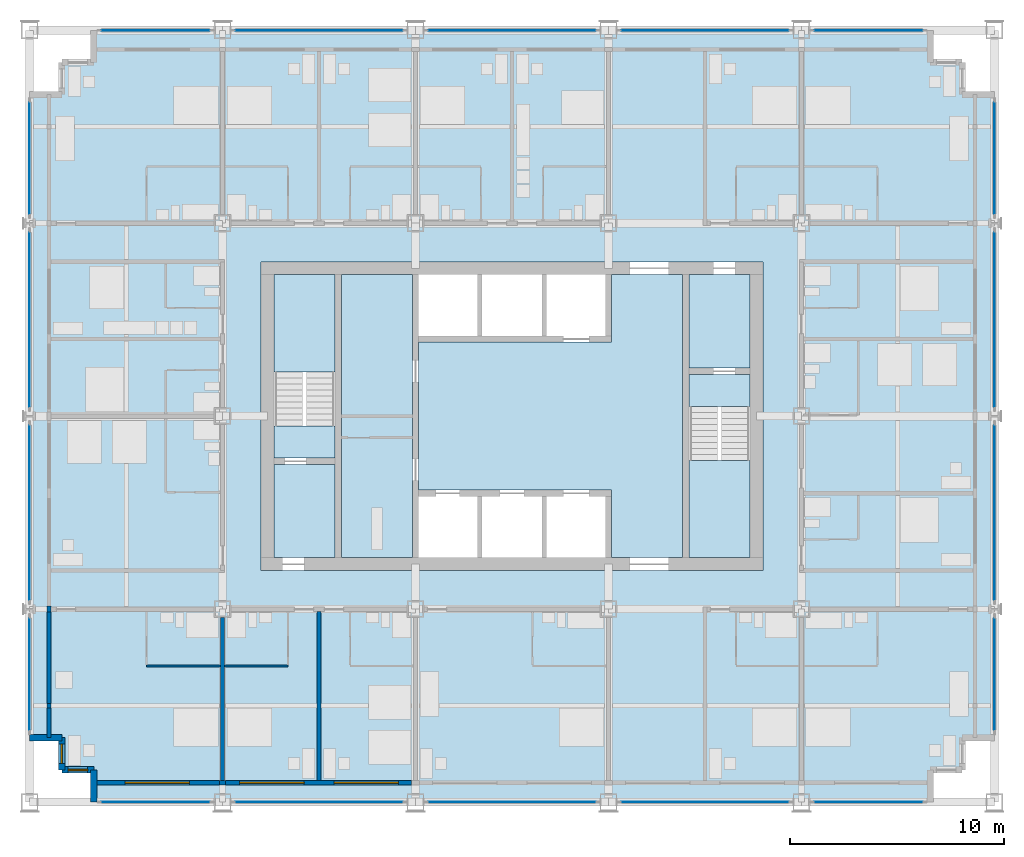
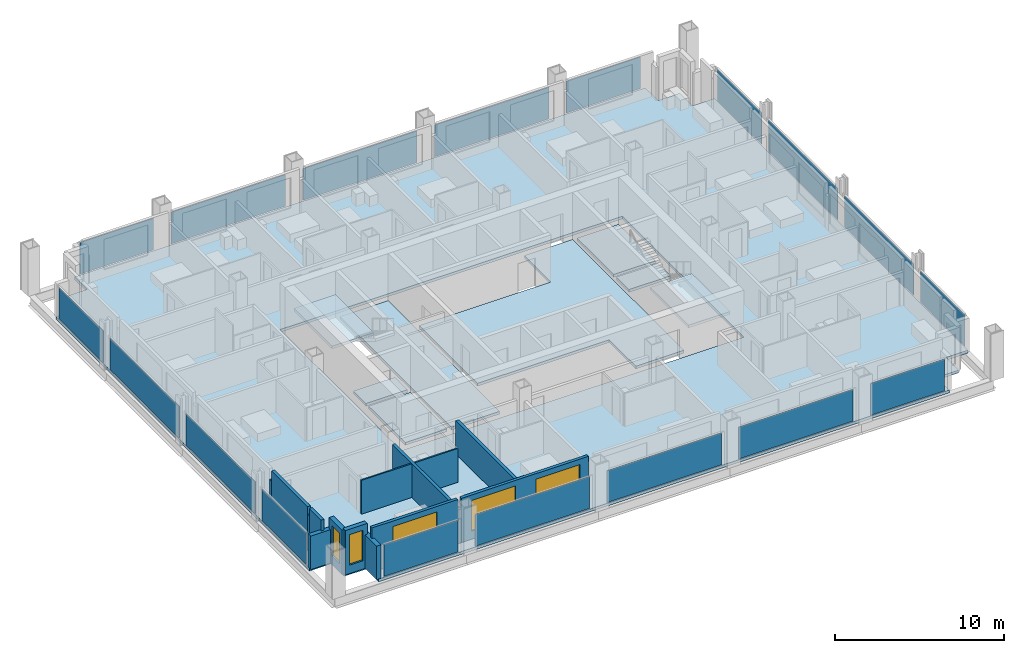
# One storey, part 8 of 17: 18 plates, 15 walls, 9 slabs, 5 windows, 5 openings, 20 elements without a shape of their own.
"""IFC4 building model written with IfcOpenShell, lengths in metres."""

from ifc_helpers import new_model, si_unit, direction, frame, frame_2d, origin, origin_2d, place, context, subcontext, project, spatial, polyline, rectangle, outline, extrude, material, layer, layer_set, type_object, element, fill, aggregate, save


model = new_model("IFC4")

# Units and contexts
model_context = context("Model", 3, precision=1e-05, world=origin(), true_north=direction((0.0, 1.0)))
body_context = subcontext(model_context, "Body", "Model", "MODEL_VIEW")
ifc_project = project(units=[si_unit("LENGTHUNIT", "METRE"), si_unit("AREAUNIT", "SQUARE_METRE"), si_unit("VOLUMEUNIT", "CUBIC_METRE"), si_unit("PLANEANGLEUNIT", "RADIAN"), si_unit("MASSUNIT", "GRAM", prefix="KILO")], contexts=[model_context])

# Site, building, storey
site_placement = place(None, origin())
site = spatial("IfcSite", under=ifc_project, at=site_placement, CompositionType="ELEMENT")
building_placement = place(site_placement, origin())
building = spatial("IfcBuilding", under=site, at=building_placement, Name="Loomwork Tower", CompositionType="ELEMENT")
storey_placement = place(building_placement, frame((0.0, 0.0, 141.800048828125)))
storey = spatial("IfcBuildingStorey", under=building, at=storey_placement, Name="L38", CompositionType="ELEMENT", Elevation=141.800048828125)

# Slabs
ifc_material_1 = material(Name="Concrete 5000 psi (34 MPa) on composite metal deck", Category="concrete")
ifc_layer_1 = layer(ifc_material_1, 0.199951171875)
ifc_layer_set_1 = layer_set([ifc_layer_1], Name="Floor slab 200")
slab_type_1 = type_object("IfcSlabType", Name="Floor slab 200", PredefinedType="FLOOR", material=ifc_layer_set_1)
slab_1_placement = place(storey_placement, frame((0.0, 0.0, -0.199951171875)))
element("IfcSlab", 1, at=slab_1_placement, inside=storey, type_object=slab_type_1, Name="Floor slab L38", PredefinedType="FLOOR", context=body_context, shape_type="SweptSolid", body=[
    extrude(outline(polyline([(3.0, 1.5), (1.5, 1.5), (1.5, 3.0), (0.0, 3.0), (0.0, 33.0), (1.5, 33.0), (1.5, 34.5), (3.0, 34.5), (3.0, 36.0), (42.0, 36.0), (42.0, 34.5), (43.5, 34.5), (43.5, 33.0), (45.0, 33.0), (45.0, 3.0), (43.5, 3.0), (43.5, 1.5), (42.0, 1.5), (42.0, 0.0), (3.0, 0.0), (3.0, 1.5)]), holes=[polyline([(10.800048828125, 11.39990234375), (10.800048828125, 11.39990234375), (10.800048828125, 10.800048828125), (34.199951171875, 10.800048828125), (34.199951171875, 11.39990234375), (34.199951171875, 11.39990234375), (34.199951171875, 24.60009765625), (34.199951171875, 25.199951171875), (10.800048828125, 25.199951171875), (10.800048828125, 24.60009765625), (10.800048828125, 11.39990234375)])]), origin(), (0.0, 0.0, 1.0), 0.199951171875),
])
slab_2_placement = place(storey_placement, frame((0.0, 0.0, -0.199951171875)))
element("IfcSlab", 2, at=slab_2_placement, inside=storey, type_object=slab_type_1, Name="Floor slab L38", PredefinedType="FLOOR", context=body_context, shape_type="SweptSolid", body=[
    extrude(outline(polyline([(30.449951171875, 24.60009765625), (30.449951171875, 11.39990234375), (27.14990234375, 11.39990234375), (27.14990234375, 14.25), (27.14990234375, 14.550048828125), (18.14990234375, 14.550048828125), (18.14990234375, 21.449951171875), (27.14990234375, 21.449951171875), (27.14990234375, 21.75), (27.14990234375, 24.60009765625), (30.449951171875, 24.60009765625)])), origin(), (0.0, 0.0, 1.0), 0.199951171875),
])
slab_3_placement = place(storey_placement, frame((0.0, 0.0, -0.199951171875)))
element("IfcSlab", 3, at=slab_3_placement, inside=storey, type_object=slab_type_1, Name="Floor slab L38", PredefinedType="FLOOR", context=body_context, shape_type="SweptSolid", body=[
    extrude(outline(polyline([(14.550048828125, 11.39990234375), (14.550048828125, 24.60009765625), (17.85009765625, 24.60009765625), (17.85009765625, 11.39990234375), (14.550048828125, 11.39990234375)])), origin(), (0.0, 0.0, 1.0), 0.199951171875),
])
slab_4_placement = place(storey_placement, frame((0.0, 0.0, -0.199951171875)))
element("IfcSlab", 4, at=slab_4_placement, inside=storey, type_object=slab_type_1, Name="Floor slab L38", PredefinedType="FLOOR", context=body_context, shape_type="SweptSolid", body=[
    extrude(outline(polyline([(33.60009765625, 20.25), (30.75, 20.25), (30.75, 24.60009765625), (33.60009765625, 24.60009765625), (33.60009765625, 20.25)])), origin(), (0.0, 0.0, 1.0), 0.199951171875),
])
slab_5_placement = place(storey_placement, frame((0.0, 0.0, -0.199951171875)))
element("IfcSlab", 5, at=slab_5_placement, inside=storey, type_object=slab_type_1, Name="Floor slab L38", PredefinedType="FLOOR", context=body_context, shape_type="SweptSolid", body=[
    extrude(outline(polyline([(14.25, 15.75), (14.25, 11.39990234375), (11.39990234375, 11.39990234375), (11.39990234375, 15.75), (14.25, 15.75)])), origin(), (0.0, 0.0, 1.0), 0.199951171875),
])

# Curtain wall, plate
ifc_material_2 = material(Name="Aluminium curtain wall frame", Category="aluminium")
curtain_wall_type = type_object("IfcCurtainWallType", Name="Outer skin glazing hotel", PredefinedType="NOTDEFINED", material=ifc_material_2)
curtain_wall_1_placement = place(storey_placement, origin())
curtain_wall_1 = element("IfcCurtainWall", 6, at=curtain_wall_1_placement, inside=storey, type_object=curtain_wall_type, Name="Outer skin glazing hotel cw/S-0", PredefinedType="NOTDEFINED")
ifc_material_3 = material(Name="Clear laminated glass", Category="glass")
ifc_layer_2 = layer(ifc_material_3, 0.02392578125)
ifc_layer_set_2 = layer_set([ifc_layer_2], Name="Outer skin glazing hotel panel")
plate_type = type_object("IfcPlateType", Name="Outer skin glazing hotel panel", PredefinedType="CURTAIN_PANEL", material=ifc_layer_set_2)
plate_1_placement = place(storey_placement, frame((5.875, 0.0, 0.06494140625), z_axis=(0.0, 0.0, 1.0), x_axis=(1.0, 0.0, 0.0)))
plate_1 = element("IfcPlate", 7, at=plate_1_placement, type_object=plate_type, Name="CW1 panel 1.1", PredefinedType="CURTAIN_PANEL", context=body_context, shape_type="SweptSolid", body=[
    extrude(rectangle(XDim=5.050048828125, YDim=0.02392578125, at=origin_2d()), origin(), (0.0, 0.0, 1.0), 2.290283203125),
])
aggregate(curtain_wall_1, [plate_1])

curtain_wall_2_placement = place(storey_placement, origin())
curtain_wall_2 = element("IfcCurtainWall", 8, at=curtain_wall_2_placement, inside=storey, type_object=curtain_wall_type, Name="Outer skin glazing hotel cw/S-9", PredefinedType="NOTDEFINED")
plate_2_placement = place(storey_placement, frame((13.5, 0.0, 0.06494140625), z_axis=(0.0, 0.0, 1.0), x_axis=(1.0, 0.0, 0.0)))
plate_2 = element("IfcPlate", 9, at=plate_2_placement, type_object=plate_type, Name="CW1 panel 1.1", PredefinedType="CURTAIN_PANEL", context=body_context, shape_type="SweptSolid", body=[
    extrude(rectangle(XDim=7.800048828125, YDim=0.02392578125, at=origin_2d()), origin(), (0.0, 0.0, 1.0), 2.290283203125),
])
aggregate(curtain_wall_2, [plate_2])

curtain_wall_3_placement = place(storey_placement, origin())
curtain_wall_3 = element("IfcCurtainWall", 10, at=curtain_wall_3_placement, inside=storey, type_object=curtain_wall_type, Name="Outer skin glazing hotel cw/S-18", PredefinedType="NOTDEFINED")
plate_3_placement = place(storey_placement, frame((22.5, 0.0, 0.06494140625), z_axis=(0.0, 0.0, 1.0), x_axis=(1.0, 0.0, 0.0)))
plate_3 = element("IfcPlate", 11, at=plate_3_placement, type_object=plate_type, Name="CW1 panel 1.1", PredefinedType="CURTAIN_PANEL", context=body_context, shape_type="SweptSolid", body=[
    extrude(rectangle(XDim=7.800048828125, YDim=0.02392578125, at=origin_2d()), origin(), (0.0, 0.0, 1.0), 2.290283203125),
])
aggregate(curtain_wall_3, [plate_3])

curtain_wall_4_placement = place(storey_placement, origin())
curtain_wall_4 = element("IfcCurtainWall", 12, at=curtain_wall_4_placement, inside=storey, type_object=curtain_wall_type, Name="Outer skin glazing hotel cw/S-27", PredefinedType="NOTDEFINED")
plate_4_placement = place(storey_placement, frame((31.5, 0.0, 0.06494140625), z_axis=(0.0, 0.0, 1.0), x_axis=(1.0, 0.0, 0.0)))
plate_4 = element("IfcPlate", 13, at=plate_4_placement, type_object=plate_type, Name="CW1 panel 1.1", PredefinedType="CURTAIN_PANEL", context=body_context, shape_type="SweptSolid", body=[
    extrude(rectangle(XDim=7.800048828125, YDim=0.02392578125, at=origin_2d()), origin(), (0.0, 0.0, 1.0), 2.290283203125),
])
aggregate(curtain_wall_4, [plate_4])

curtain_wall_5_placement = place(storey_placement, origin())
curtain_wall_5 = element("IfcCurtainWall", 14, at=curtain_wall_5_placement, inside=storey, type_object=curtain_wall_type, Name="Outer skin glazing hotel cw/S-36", PredefinedType="NOTDEFINED")
plate_5_placement = place(storey_placement, frame((39.125, 0.0, 0.06494140625), z_axis=(0.0, 0.0, 1.0), x_axis=(1.0, 0.0, 0.0)))
plate_5 = element("IfcPlate", 15, at=plate_5_placement, type_object=plate_type, Name="CW1 panel 1.1", PredefinedType="CURTAIN_PANEL", context=body_context, shape_type="SweptSolid", body=[
    extrude(rectangle(XDim=5.050048828125, YDim=0.02392578125, at=origin_2d()), origin(), (0.0, 0.0, 1.0), 2.290283203125),
])
aggregate(curtain_wall_5, [plate_5])

curtain_wall_6_placement = place(storey_placement, origin())
curtain_wall_6 = element("IfcCurtainWall", 16, at=curtain_wall_6_placement, inside=storey, type_object=curtain_wall_type, Name="Outer skin glazing hotel cw/N-0", PredefinedType="NOTDEFINED")
plate_6_placement = place(storey_placement, frame((5.875, 36.0, 0.06494140625), z_axis=(0.0, 0.0, 1.0), x_axis=(-1.0, 0.0, 0.0)))
plate_6 = element("IfcPlate", 17, at=plate_6_placement, type_object=plate_type, Name="CW1 panel 1.1", PredefinedType="CURTAIN_PANEL", context=body_context, shape_type="SweptSolid", body=[
    extrude(rectangle(XDim=5.050048828125, YDim=0.02392578125, at=origin_2d()), origin(), (0.0, 0.0, 1.0), 2.290283203125),
])
aggregate(curtain_wall_6, [plate_6])

curtain_wall_7_placement = place(storey_placement, origin())
curtain_wall_7 = element("IfcCurtainWall", 18, at=curtain_wall_7_placement, inside=storey, type_object=curtain_wall_type, Name="Outer skin glazing hotel cw/N-9", PredefinedType="NOTDEFINED")
plate_7_placement = place(storey_placement, frame((13.5, 36.0, 0.06494140625), z_axis=(0.0, 0.0, 1.0), x_axis=(-1.0, 0.0, 0.0)))
plate_7 = element("IfcPlate", 19, at=plate_7_placement, type_object=plate_type, Name="CW1 panel 1.1", PredefinedType="CURTAIN_PANEL", context=body_context, shape_type="SweptSolid", body=[
    extrude(rectangle(XDim=7.800048828125, YDim=0.02392578125, at=origin_2d()), origin(), (0.0, 0.0, 1.0), 2.290283203125),
])
aggregate(curtain_wall_7, [plate_7])

curtain_wall_8_placement = place(storey_placement, origin())
curtain_wall_8 = element("IfcCurtainWall", 20, at=curtain_wall_8_placement, inside=storey, type_object=curtain_wall_type, Name="Outer skin glazing hotel cw/N-18", PredefinedType="NOTDEFINED")
plate_8_placement = place(storey_placement, frame((22.5, 36.0, 0.06494140625), z_axis=(0.0, 0.0, 1.0), x_axis=(-1.0, 0.0, 0.0)))
plate_8 = element("IfcPlate", 21, at=plate_8_placement, type_object=plate_type, Name="CW1 panel 1.1", PredefinedType="CURTAIN_PANEL", context=body_context, shape_type="SweptSolid", body=[
    extrude(rectangle(XDim=7.800048828125, YDim=0.02392578125, at=origin_2d()), origin(), (0.0, 0.0, 1.0), 2.290283203125),
])
aggregate(curtain_wall_8, [plate_8])

curtain_wall_9_placement = place(storey_placement, origin())
curtain_wall_9 = element("IfcCurtainWall", 22, at=curtain_wall_9_placement, inside=storey, type_object=curtain_wall_type, Name="Outer skin glazing hotel cw/N-27", PredefinedType="NOTDEFINED")
plate_9_placement = place(storey_placement, frame((31.5, 36.0, 0.06494140625), z_axis=(0.0, 0.0, 1.0), x_axis=(-1.0, 0.0, 0.0)))
plate_9 = element("IfcPlate", 23, at=plate_9_placement, type_object=plate_type, Name="CW1 panel 1.1", PredefinedType="CURTAIN_PANEL", context=body_context, shape_type="SweptSolid", body=[
    extrude(rectangle(XDim=7.800048828125, YDim=0.02392578125, at=origin_2d()), origin(), (0.0, 0.0, 1.0), 2.290283203125),
])
aggregate(curtain_wall_9, [plate_9])

curtain_wall_10_placement = place(storey_placement, origin())
curtain_wall_10 = element("IfcCurtainWall", 24, at=curtain_wall_10_placement, inside=storey, type_object=curtain_wall_type, Name="Outer skin glazing hotel cw/N-36", PredefinedType="NOTDEFINED")
plate_10_placement = place(storey_placement, frame((39.125, 36.0, 0.06494140625), z_axis=(0.0, 0.0, 1.0), x_axis=(-1.0, 0.0, 0.0)))
plate_10 = element("IfcPlate", 25, at=plate_10_placement, type_object=plate_type, Name="CW1 panel 1.1", PredefinedType="CURTAIN_PANEL", context=body_context, shape_type="SweptSolid", body=[
    extrude(rectangle(XDim=5.050048828125, YDim=0.02392578125, at=origin_2d()), origin(), (0.0, 0.0, 1.0), 2.290283203125),
])
aggregate(curtain_wall_10, [plate_10])

curtain_wall_11_placement = place(storey_placement, origin())
curtain_wall_11 = element("IfcCurtainWall", 26, at=curtain_wall_11_placement, inside=storey, type_object=curtain_wall_type, Name="Outer skin glazing hotel cw/W-0", PredefinedType="NOTDEFINED")
plate_11_placement = place(storey_placement, frame((0.0, 5.964599609375, 0.06494140625), z_axis=(0.0, 0.0, 1.0), x_axis=(0.0, -1.0, 0.0)))
plate_11 = element("IfcPlate", 27, at=plate_11_placement, type_object=plate_type, Name="CW1 panel 1.1", PredefinedType="CURTAIN_PANEL", context=body_context, shape_type="SweptSolid", body=[
    extrude(rectangle(XDim=5.22900390625, YDim=0.02392578125, at=origin_2d()), origin(), (0.0, 0.0, 1.0), 2.290283203125),
])
aggregate(curtain_wall_11, [plate_11])

curtain_wall_12_placement = place(storey_placement, origin())
curtain_wall_12 = element("IfcCurtainWall", 28, at=curtain_wall_12_placement, inside=storey, type_object=curtain_wall_type, Name="Outer skin glazing hotel cw/W-9", PredefinedType="NOTDEFINED")
plate_12_placement = place(storey_placement, frame((0.0, 13.5, 0.06494140625), z_axis=(0.0, 0.0, 1.0), x_axis=(0.0, -1.0, 0.0)))
plate_12 = element("IfcPlate", 29, at=plate_12_placement, type_object=plate_type, Name="CW1 panel 1.1", PredefinedType="CURTAIN_PANEL", context=body_context, shape_type="SweptSolid", body=[
    extrude(rectangle(XDim=8.157958984375, YDim=0.02392578125, at=origin_2d()), origin(), (0.0, 0.0, 1.0), 2.290283203125),
])
aggregate(curtain_wall_12, [plate_12])

curtain_wall_13_placement = place(storey_placement, origin())
curtain_wall_13 = element("IfcCurtainWall", 30, at=curtain_wall_13_placement, inside=storey, type_object=curtain_wall_type, Name="Outer skin glazing hotel cw/W-18", PredefinedType="NOTDEFINED")
plate_13_placement = place(storey_placement, frame((0.0, 22.5, 0.06494140625), z_axis=(0.0, 0.0, 1.0), x_axis=(0.0, -1.0, 0.0)))
plate_13 = element("IfcPlate", 31, at=plate_13_placement, type_object=plate_type, Name="CW1 panel 1.1", PredefinedType="CURTAIN_PANEL", context=body_context, shape_type="SweptSolid", body=[
    extrude(rectangle(XDim=8.157958984375, YDim=0.02392578125, at=origin_2d()), origin(), (0.0, 0.0, 1.0), 2.290283203125),
])
aggregate(curtain_wall_13, [plate_13])

curtain_wall_14_placement = place(storey_placement, origin())
curtain_wall_14 = element("IfcCurtainWall", 32, at=curtain_wall_14_placement, inside=storey, type_object=curtain_wall_type, Name="Outer skin glazing hotel cw/W-27", PredefinedType="NOTDEFINED")
plate_14_placement = place(storey_placement, frame((0.0, 30.035400390625, 0.06494140625), z_axis=(0.0, 0.0, 1.0), x_axis=(0.0, -1.0, 0.0)))
plate_14 = element("IfcPlate", 33, at=plate_14_placement, type_object=plate_type, Name="CW1 panel 1.1", PredefinedType="CURTAIN_PANEL", context=body_context, shape_type="SweptSolid", body=[
    extrude(rectangle(XDim=5.22900390625, YDim=0.02392578125, at=origin_2d()), origin(), (0.0, 0.0, 1.0), 2.290283203125),
])
aggregate(curtain_wall_14, [plate_14])

curtain_wall_15_placement = place(storey_placement, origin())
curtain_wall_15 = element("IfcCurtainWall", 34, at=curtain_wall_15_placement, inside=storey, type_object=curtain_wall_type, Name="Outer skin glazing hotel cw/E-0", PredefinedType="NOTDEFINED")
plate_15_placement = place(storey_placement, frame((45.0, 5.964599609375, 0.06494140625), z_axis=(0.0, 0.0, 1.0), x_axis=(0.0, 1.0, 0.0)))
plate_15 = element("IfcPlate", 35, at=plate_15_placement, type_object=plate_type, Name="CW1 panel 1.1", PredefinedType="CURTAIN_PANEL", context=body_context, shape_type="SweptSolid", body=[
    extrude(rectangle(XDim=5.22900390625, YDim=0.02392578125, at=origin_2d()), origin(), (0.0, 0.0, 1.0), 2.290283203125),
])
aggregate(curtain_wall_15, [plate_15])

curtain_wall_16_placement = place(storey_placement, origin())
curtain_wall_16 = element("IfcCurtainWall", 36, at=curtain_wall_16_placement, inside=storey, type_object=curtain_wall_type, Name="Outer skin glazing hotel cw/E-9", PredefinedType="NOTDEFINED")
plate_16_placement = place(storey_placement, frame((45.0, 13.5, 0.06494140625), z_axis=(0.0, 0.0, 1.0), x_axis=(0.0, 1.0, 0.0)))
plate_16 = element("IfcPlate", 37, at=plate_16_placement, type_object=plate_type, Name="CW1 panel 1.1", PredefinedType="CURTAIN_PANEL", context=body_context, shape_type="SweptSolid", body=[
    extrude(rectangle(XDim=8.157958984375, YDim=0.02392578125, at=origin_2d()), origin(), (0.0, 0.0, 1.0), 2.290283203125),
])
aggregate(curtain_wall_16, [plate_16])

curtain_wall_17_placement = place(storey_placement, origin())
curtain_wall_17 = element("IfcCurtainWall", 38, at=curtain_wall_17_placement, inside=storey, type_object=curtain_wall_type, Name="Outer skin glazing hotel cw/E-18", PredefinedType="NOTDEFINED")
plate_17_placement = place(storey_placement, frame((45.0, 22.5, 0.06494140625), z_axis=(0.0, 0.0, 1.0), x_axis=(0.0, 1.0, 0.0)))
plate_17 = element("IfcPlate", 39, at=plate_17_placement, type_object=plate_type, Name="CW1 panel 1.1", PredefinedType="CURTAIN_PANEL", context=body_context, shape_type="SweptSolid", body=[
    extrude(rectangle(XDim=8.157958984375, YDim=0.02392578125, at=origin_2d()), origin(), (0.0, 0.0, 1.0), 2.290283203125),
])
aggregate(curtain_wall_17, [plate_17])

curtain_wall_18_placement = place(storey_placement, origin())
curtain_wall_18 = element("IfcCurtainWall", 40, at=curtain_wall_18_placement, inside=storey, type_object=curtain_wall_type, Name="Outer skin glazing hotel cw/E-27", PredefinedType="NOTDEFINED")
plate_18_placement = place(storey_placement, frame((45.0, 30.035400390625, 0.06494140625), z_axis=(0.0, 0.0, 1.0), x_axis=(0.0, 1.0, 0.0)))
plate_18 = element("IfcPlate", 41, at=plate_18_placement, type_object=plate_type, Name="CW1 panel 1.1", PredefinedType="CURTAIN_PANEL", context=body_context, shape_type="SweptSolid", body=[
    extrude(rectangle(XDim=5.22900390625, YDim=0.02392578125, at=origin_2d()), origin(), (0.0, 0.0, 1.0), 2.290283203125),
])
aggregate(curtain_wall_18, [plate_18])

# Stair, slabs
ifc_material_4 = material(Name="Concrete 5000 psi (34 MPa) precast stair", Category="concrete")
stair_type_1 = type_object("IfcStairType", Name="Stair ST-A 20 risers 2850 wide", PredefinedType="HALF_TURN_STAIR", material=ifc_material_4)
stair_1_placement = place(storey_placement, origin())
stair_1 = element("IfcStair", 42, at=stair_1_placement, inside=storey, type_object=stair_type_1, Name="Stair A L38", PredefinedType="HALF_TURN_STAIR")
ifc_material_5 = material(Name="Concrete 5000 psi (34 MPa)", Category="concrete")
ifc_layer_3 = layer(ifc_material_5, 0.199951171875)
ifc_layer_set_3 = layer_set([ifc_layer_3], Name="Stair landing 200")
slab_type_2 = type_object("IfcSlabType", Name="Stair landing 200", PredefinedType="LANDING", material=ifc_layer_set_3)
slab_6_placement = place(storey_placement, frame((0.0, 0.0, -0.199951171875)))
slab_6 = element("IfcSlab", 43, at=slab_6_placement, type_object=slab_type_2, Name="ST-A landing 1", PredefinedType="LANDING", context=body_context, shape_type="SweptSolid", body=[
    extrude(outline(polyline([(11.39990234375, 16.050048828125), (14.25, 16.050048828125), (14.25, 17.550048828125), (11.39990234375, 17.550048828125), (11.39990234375, 16.050048828125)])), origin(), (0.0, 0.0, 1.0), 0.199951171875),
])
slab_7_placement = place(storey_placement, frame((0.0, 0.0, 1.5)))
slab_7 = element("IfcSlab", 44, at=slab_7_placement, type_object=slab_type_2, Name="ST-A landing 2", PredefinedType="LANDING", context=body_context, shape_type="SweptSolid", body=[
    extrude(outline(polyline([(11.39990234375, 20.070068359375), (14.25, 20.070068359375), (14.25, 24.60009765625), (11.39990234375, 24.60009765625), (11.39990234375, 20.070068359375)])), origin(), (0.0, 0.0, 1.0), 0.199951171875),
])
aggregate(stair_1, [slab_6, slab_7])

ifc_material_6 = material(Name="Concrete 5000 psi (34 MPa) precast stair", Category="concrete")
stair_type_2 = type_object("IfcStairType", Name="Stair ST-B 20 risers 2850 wide", PredefinedType="HALF_TURN_STAIR", material=ifc_material_6)
stair_2_placement = place(storey_placement, origin())
stair_2 = element("IfcStair", 45, at=stair_2_placement, inside=storey, type_object=stair_type_2, Name="Stair B L38", PredefinedType="HALF_TURN_STAIR")
slab_8_placement = place(storey_placement, frame((0.0, 0.0, -0.199951171875)))
slab_8 = element("IfcSlab", 46, at=slab_8_placement, type_object=slab_type_2, Name="ST-B landing 1", PredefinedType="LANDING", context=body_context, shape_type="SweptSolid", body=[
    extrude(outline(polyline([(30.75, 18.449951171875), (33.60009765625, 18.449951171875), (33.60009765625, 19.949951171875), (30.75, 19.949951171875), (30.75, 18.449951171875)])), origin(), (0.0, 0.0, 1.0), 0.199951171875),
])
slab_9_placement = place(storey_placement, frame((0.0, 0.0, 1.5)))
slab_9 = element("IfcSlab", 47, at=slab_9_placement, type_object=slab_type_2, Name="ST-B landing 2", PredefinedType="LANDING", context=body_context, shape_type="SweptSolid", body=[
    extrude(outline(polyline([(30.75, 11.39990234375), (33.60009765625, 11.39990234375), (33.60009765625, 15.929931640625), (30.75, 15.929931640625), (30.75, 11.39990234375)])), origin(), (0.0, 0.0, 1.0), 0.199951171875),
])
aggregate(stair_2, [slab_8, slab_9])

# Walls
ifc_material_7 = material(Name="Cement board on steel studs", Category="steel")
ifc_layer_4 = layer(ifc_material_7, 0.10009765625)
ifc_layer_set_4 = layer_set([ifc_layer_4], Name="En-suite partition 100")
wall_type_1 = type_object("IfcWallType", Name="En-suite partition 100", PredefinedType="PARTITIONING", material=ifc_layer_set_4)
wall_1_placement = place(storey_placement, frame((5.449951171875, 6.35009765625, 0.0), z_axis=(0.0, 0.0, 1.0), x_axis=(1.0, 0.0, 0.0)))
element("IfcWall", 48, at=wall_1_placement, inside=storey, type_object=wall_type_1, Name="En-suite wall L38 room 1", PredefinedType="PARTITIONING", context=body_context, shape_type="SweptSolid", body=[
    extrude(rectangle(XDim=3.449951171875, YDim=0.10009765625, at=frame_2d((1.72509765625, 0.0))), origin(), (0.0, 0.0, 1.0), 2.43798828125),
])
wall_2_placement = place(storey_placement, frame((9.10009765625, 6.35009765625, 0.0), z_axis=(0.0, 0.0, 1.0), x_axis=(1.0, 0.0, 0.0)))
element("IfcWall", 49, at=wall_2_placement, inside=storey, type_object=wall_type_1, Name="En-suite wall L38 room 2", PredefinedType="PARTITIONING", context=body_context, shape_type="SweptSolid", body=[
    extrude(rectangle(XDim=2.949951171875, YDim=0.10009765625, at=frame_2d((1.47509765625, 0.0))), origin(), (0.0, 0.0, 1.0), 2.43798828125),
])
ifc_material_8 = material(Name="Gypsum board on steel studs, acoustic", Category="steel")
ifc_layer_5 = layer(ifc_material_8, 0.199951171875)
ifc_layer_set_5 = layer_set([ifc_layer_5], Name="Guest room party wall 200")
wall_type_2 = type_object("IfcWallType", Name="Guest room party wall 200", PredefinedType="PARTITIONING", material=ifc_layer_set_5)
wall_3_placement = place(storey_placement, frame((9.0, 8.60009765625, 0.0), z_axis=(0.0, 0.0, 1.0), x_axis=(0.0, -1.0, 0.0)))
element("IfcWall", 50, at=wall_3_placement, inside=storey, type_object=wall_type_2, Name="Guest room party wall S 9", PredefinedType="PARTITIONING", context=body_context, shape_type="SweptSolid", body=[
    extrude(rectangle(XDim=7.60009765625, YDim=0.199951171875, at=frame_2d((3.800048828125, 0.0))), origin(), (0.0, 0.0, 1.0), 2.43798828125),
])
wall_4_placement = place(storey_placement, frame((13.5, 8.89990234375, 0.0), z_axis=(0.0, 0.0, 1.0), x_axis=(0.0, -1.0, 0.0)))
element("IfcWall", 51, at=wall_4_placement, inside=storey, type_object=wall_type_2, Name="Guest room party wall S 13.5", PredefinedType="PARTITIONING", context=body_context, shape_type="SweptSolid", body=[
    extrude(rectangle(XDim=7.89990234375, YDim=0.199951171875, at=frame_2d((3.949951171875, 0.0))), origin(), (0.0, 0.0, 1.0), 2.404052734375),
])

# Wall, opening, window
ifc_material_9 = material(Name="Insulated steel stud wall with gypsum lining", Category="steel")
ifc_layer_6 = layer(ifc_material_9, 0.199951171875)
ifc_layer_set_6 = layer_set([ifc_layer_6], Name="Inner skin wall 200")
wall_type_3 = type_object("IfcWallType", Name="Inner skin wall 200", PredefinedType="SOLIDWALL", material=ifc_layer_set_6)
wall_5_placement = place(storey_placement, frame((3.0, 0.89990234375, 0.0), z_axis=(0.0, 0.0, 1.0), x_axis=(1.0, 0.0, 0.0)))
wall_5 = element("IfcWall", 52, at=wall_5_placement, inside=storey, type_object=wall_type_3, Name="Inner skin wall S", PredefinedType="SOLIDWALL", context=body_context, shape_type="SweptSolid", body=[
    extrude(rectangle(XDim=5.86474609375, YDim=0.199951171875, at=frame_2d((2.932373046875, 0.0))), origin(), (0.0, 0.0, 1.0), 3.199951171875),
])
opening_1_placement = place(wall_5_placement, frame((1.449951171875, 0.0, 0.60009765625)))
opening_1 = element("IfcOpeningElement", 53, at=opening_1_placement, cuts=wall_5, Name="Opening CH1", PredefinedType="OPENING", context=body_context, shape_type="SweptSolid", body=[
    extrude(rectangle(XDim=3.0, YDim=2.199951171875, at=frame_2d((1.5, 1.10009765625))), frame((0.0, 0.10986328125, 0.0), z_axis=(0.0, -1.0, 0.0), x_axis=(1.0, 0.0, 0.0)), (0.0, 0.0, 1.0), 0.219970703125),
])
ifc_material_10 = material(Name="Aluminium frame with clear insulated glass", Category="aluminium")
window_type_1 = type_object("IfcWindowType", Name="Chicago window 3000", PartitioningType="TRIPLE_PANEL_VERTICAL", PredefinedType="WINDOW", material=ifc_material_10)
window_1_placement = place(opening_1_placement, origin())
window_1 = element("IfcWindow", 54, at=window_1_placement, inside=storey, type_object=window_type_1, Name="Chicago window L38 bay 1", OverallHeight=2.199951171875, OverallWidth=3.0, PartitioningType="TRIPLE_PANEL_VERTICAL", PredefinedType="WINDOW", context=body_context, shape_type="SweptSolid", body=[
    extrude(rectangle(XDim=3.0, YDim=2.199951171875, at=frame_2d((1.5, 1.10009765625))), frame((0.0, 0.030029296875, 0.0), z_axis=(0.0, -1.0, 0.0), x_axis=(1.0, 0.0, 0.0)), (0.0, 0.0, 1.0), 0.06005859375),
])
fill(opening_1, window_1)

# Walls
wall_6_placement = place(storey_placement, frame((0.89990234375, 3.0, 0.0), z_axis=(0.0, 0.0, 1.0), x_axis=(0.0, 1.0, 0.0)))
element("IfcWall", 55, at=wall_6_placement, inside=storey, type_object=wall_type_3, Name="Inner skin wall W", PredefinedType="SOLIDWALL", context=body_context, shape_type="SweptSolid", body=[
    extrude(rectangle(XDim=1.392578125, YDim=0.199951171875, at=frame_2d((0.6962890625, 0.0))), origin(), (0.0, 0.0, 1.0), 3.199951171875),
])
wall_7_placement = place(storey_placement, frame((8.86474609375, 0.89990234375, 0.0), z_axis=(0.0, 0.0, 1.0), x_axis=(1.0, 0.0, 0.0)))
element("IfcWall", 56, at=wall_7_placement, inside=storey, type_object=wall_type_3, Name="Inner skin wall S bay 2", PredefinedType="SOLIDWALL", context=body_context, shape_type="SweptSolid", body=[
    extrude(rectangle(XDim=0.2705078125, YDim=0.199951171875, at=frame_2d((0.13525390625, 0.0))), origin(), (0.0, 0.0, 1.0), 2.43798828125),
])

# Wall, openings, windows
wall_8_placement = place(storey_placement, frame((9.13525390625, 0.89990234375, 0.0), z_axis=(0.0, 0.0, 1.0), x_axis=(1.0, 0.0, 0.0)))
wall_8 = element("IfcWall", 57, at=wall_8_placement, inside=storey, type_object=wall_type_3, Name="Inner skin wall S bay 3", PredefinedType="SOLIDWALL", context=body_context, shape_type="SweptSolid", body=[
    extrude(rectangle(XDim=8.6708984375, YDim=0.199951171875, at=frame_2d((4.33544921875, 0.0))), origin(), (0.0, 0.0, 1.0), 3.199951171875),
])
opening_2_placement = place(wall_8_placement, frame((0.664794921875, 0.0, 0.60009765625)))
opening_2 = element("IfcOpeningElement", 58, at=opening_2_placement, cuts=wall_8, Name="Opening CH1", PredefinedType="OPENING", context=body_context, shape_type="SweptSolid", body=[
    extrude(rectangle(XDim=3.0, YDim=2.199951171875, at=frame_2d((1.5, 1.10009765625))), frame((0.0, 0.10986328125, 0.0), z_axis=(0.0, -1.0, 0.0), x_axis=(1.0, 0.0, 0.0)), (0.0, 0.0, 1.0), 0.219970703125),
])
opening_3_placement = place(wall_8_placement, frame((5.064697265625, 0.0, 0.60009765625)))
opening_3 = element("IfcOpeningElement", 59, at=opening_3_placement, cuts=wall_8, Name="Opening CH1", PredefinedType="OPENING", context=body_context, shape_type="SweptSolid", body=[
    extrude(rectangle(XDim=3.0, YDim=2.199951171875, at=frame_2d((1.5, 1.10009765625))), frame((0.0, 0.10986328125, 0.0), z_axis=(0.0, -1.0, 0.0), x_axis=(1.0, 0.0, 0.0)), (0.0, 0.0, 1.0), 0.219970703125),
])
window_2_placement = place(opening_2_placement, origin())
window_2 = element("IfcWindow", 60, at=window_2_placement, inside=storey, type_object=window_type_1, Name="Chicago window L38 bay 2", OverallHeight=2.199951171875, OverallWidth=3.0, PartitioningType="TRIPLE_PANEL_VERTICAL", PredefinedType="WINDOW", context=body_context, shape_type="SweptSolid", body=[
    extrude(rectangle(XDim=3.0, YDim=2.199951171875, at=frame_2d((1.5, 1.10009765625))), frame((0.0, 0.030029296875, 0.0), z_axis=(0.0, -1.0, 0.0), x_axis=(1.0, 0.0, 0.0)), (0.0, 0.0, 1.0), 0.06005859375),
])
fill(opening_2, window_2)
window_3_placement = place(opening_3_placement, origin())
window_3 = element("IfcWindow", 61, at=window_3_placement, inside=storey, type_object=window_type_1, Name="Chicago window L38 bay 2", OverallHeight=2.199951171875, OverallWidth=3.0, PartitioningType="TRIPLE_PANEL_VERTICAL", PredefinedType="WINDOW", context=body_context, shape_type="SweptSolid", body=[
    extrude(rectangle(XDim=3.0, YDim=2.199951171875, at=frame_2d((1.5, 1.10009765625))), frame((0.0, 0.030029296875, 0.0), z_axis=(0.0, -1.0, 0.0), x_axis=(1.0, 0.0, 0.0)), (0.0, 0.0, 1.0), 0.06005859375),
])
fill(opening_3, window_3)

# Walls
wall_9_placement = place(storey_placement, frame((0.89990234375, 4.392578125, 0.0), z_axis=(0.0, 0.0, 1.0), x_axis=(0.0, 1.0, 0.0)))
element("IfcWall", 62, at=wall_9_placement, inside=storey, type_object=wall_type_3, Name="Inner skin wall W bay 2", PredefinedType="SOLIDWALL", context=body_context, shape_type="SweptSolid", body=[
    extrude(rectangle(XDim=0.21484375, YDim=0.199951171875, at=frame_2d((0.107421875, 0.0))), origin(), (0.0, 0.0, 1.0), 2.660888671875),
])
wall_10_placement = place(storey_placement, frame((0.89990234375, 4.607421875, 0.0), z_axis=(0.0, 0.0, 1.0), x_axis=(0.0, 1.0, 0.0)))
element("IfcWall", 63, at=wall_10_placement, inside=storey, type_object=wall_type_3, Name="Inner skin wall W bay 3", PredefinedType="SOLIDWALL", context=body_context, shape_type="SweptSolid", body=[
    extrude(rectangle(XDim=4.25732421875, YDim=0.199951171875, at=frame_2d((2.128662109375, 0.0))), origin(), (0.0, 0.0, 1.0), 3.199951171875),
])
wall_11_placement = place(storey_placement, frame((0.89990234375, 8.86474609375, 0.0), z_axis=(0.0, 0.0, 1.0), x_axis=(0.0, 1.0, 0.0)))
element("IfcWall", 64, at=wall_11_placement, inside=storey, type_object=wall_type_3, Name="Inner skin wall W bay 4", PredefinedType="SOLIDWALL", context=body_context, shape_type="SweptSolid", body=[
    extrude(rectangle(XDim=0.2705078125, YDim=0.199951171875, at=frame_2d((0.13525390625, 0.0))), origin(), (0.0, 0.0, 1.0), 2.43798828125),
])
ifc_material_11 = material(Name="Limestone on concrete masonry", Category="masonry")
ifc_layer_7 = layer(ifc_material_11, 0.300048828125)
ifc_layer_set_7 = layer_set([ifc_layer_7], Name="Limestone corner wall 300")
wall_type_4 = type_object("IfcWallType", Name="Limestone corner wall 300", PredefinedType="SOLIDWALL", material=ifc_layer_set_7)
wall_12_placement = place(storey_placement, frame((0.0, 3.0, 0.0), z_axis=(0.0, 0.0, 1.0), x_axis=(1.0, 0.0, 0.0)))
element("IfcWall", 65, at=wall_12_placement, inside=storey, type_object=wall_type_4, Name="Stone corner wall SW 1", PredefinedType="SOLIDWALL", context=body_context, shape_type="SweptSolid", body=[
    extrude(rectangle(XDim=1.5, YDim=0.300048828125, at=frame_2d((0.75, 0.0))), origin(), (0.0, 0.0, 1.0), 2.419921875),
])

# Wall, opening, window
wall_13_placement = place(storey_placement, frame((1.5, 3.0, 0.0), z_axis=(0.0, 0.0, 1.0), x_axis=(0.0, -1.0, 0.0)))
wall_13 = element("IfcWall", 66, at=wall_13_placement, inside=storey, type_object=wall_type_4, Name="Stone corner wall SW 2", PredefinedType="SOLIDWALL", context=body_context, shape_type="SweptSolid", body=[
    extrude(rectangle(XDim=1.5, YDim=0.300048828125, at=frame_2d((0.75, 0.0))), origin(), (0.0, 0.0, 1.0), 3.199951171875),
])
opening_4_placement = place(wall_13_placement, frame((0.300048828125, 0.0, 0.60009765625)))
opening_4 = element("IfcOpeningElement", 67, at=opening_4_placement, cuts=wall_13, Name="Opening CH2", PredefinedType="OPENING", context=body_context, shape_type="SweptSolid", body=[
    extrude(rectangle(XDim=0.89990234375, YDim=2.199951171875, at=frame_2d((0.449951171875, 1.10009765625))), frame((0.0, 0.159912109375, 0.0), z_axis=(0.0, -1.0, 0.0), x_axis=(1.0, 0.0, 0.0)), (0.0, 0.0, 1.0), 0.320068359375),
])
ifc_material_12 = material(Name="Aluminium frame with clear insulated glass", Category="aluminium")
window_type_2 = type_object("IfcWindowType", Name="Corner window 900", PartitioningType="SINGLE_PANEL", PredefinedType="WINDOW", material=ifc_material_12)
window_4_placement = place(opening_4_placement, origin())
window_4 = element("IfcWindow", 68, at=window_4_placement, inside=storey, type_object=window_type_2, Name="Corner window SW", OverallHeight=2.199951171875, OverallWidth=0.89990234375, PartitioningType="SINGLE_PANEL", PredefinedType="WINDOW", context=body_context, shape_type="SweptSolid", body=[
    extrude(rectangle(XDim=0.89990234375, YDim=2.199951171875, at=frame_2d((0.449951171875, 1.10009765625))), frame((0.0, 0.030029296875, 0.0), z_axis=(0.0, -1.0, 0.0), x_axis=(1.0, 0.0, 0.0)), (0.0, 0.0, 1.0), 0.06005859375),
])
fill(opening_4, window_4)

wall_14_placement = place(storey_placement, frame((1.5, 1.5, 0.0), z_axis=(0.0, 0.0, 1.0), x_axis=(1.0, 0.0, 0.0)))
wall_14 = element("IfcWall", 69, at=wall_14_placement, inside=storey, type_object=wall_type_4, Name="Stone corner wall SW 3", PredefinedType="SOLIDWALL", context=body_context, shape_type="SweptSolid", body=[
    extrude(rectangle(XDim=1.5, YDim=0.300048828125, at=frame_2d((0.75, 0.0))), origin(), (0.0, 0.0, 1.0), 3.199951171875),
])
opening_5_placement = place(wall_14_placement, frame((0.300048828125, 0.0, 0.60009765625)))
opening_5 = element("IfcOpeningElement", 70, at=opening_5_placement, cuts=wall_14, Name="Opening CH2", PredefinedType="OPENING", context=body_context, shape_type="SweptSolid", body=[
    extrude(rectangle(XDim=0.89990234375, YDim=2.199951171875, at=frame_2d((0.449951171875, 1.10009765625))), frame((0.0, 0.159912109375, 0.0), z_axis=(0.0, -1.0, 0.0), x_axis=(1.0, 0.0, 0.0)), (0.0, 0.0, 1.0), 0.320068359375),
])
window_5_placement = place(opening_5_placement, origin())
window_5 = element("IfcWindow", 71, at=window_5_placement, inside=storey, type_object=window_type_2, Name="Corner window SW", OverallHeight=2.199951171875, OverallWidth=0.89990234375, PartitioningType="SINGLE_PANEL", PredefinedType="WINDOW", context=body_context, shape_type="SweptSolid", body=[
    extrude(rectangle(XDim=0.89990234375, YDim=2.199951171875, at=frame_2d((0.449951171875, 1.10009765625))), frame((0.0, 0.030029296875, 0.0), z_axis=(0.0, -1.0, 0.0), x_axis=(1.0, 0.0, 0.0)), (0.0, 0.0, 1.0), 0.06005859375),
])
fill(opening_5, window_5)

# Wall
wall_15_placement = place(storey_placement, frame((3.0, 1.5, 0.0), z_axis=(0.0, 0.0, 1.0), x_axis=(0.0, -1.0, 0.0)))
element("IfcWall", 72, at=wall_15_placement, inside=storey, type_object=wall_type_4, Name="Stone corner wall SW 4", PredefinedType="SOLIDWALL", context=body_context, shape_type="SweptSolid", body=[
    extrude(rectangle(XDim=1.5, YDim=0.300048828125, at=frame_2d((0.75, 0.0))), origin(), (0.0, 0.0, 1.0), 2.419921875),
])

save(model, "model.ifc")
